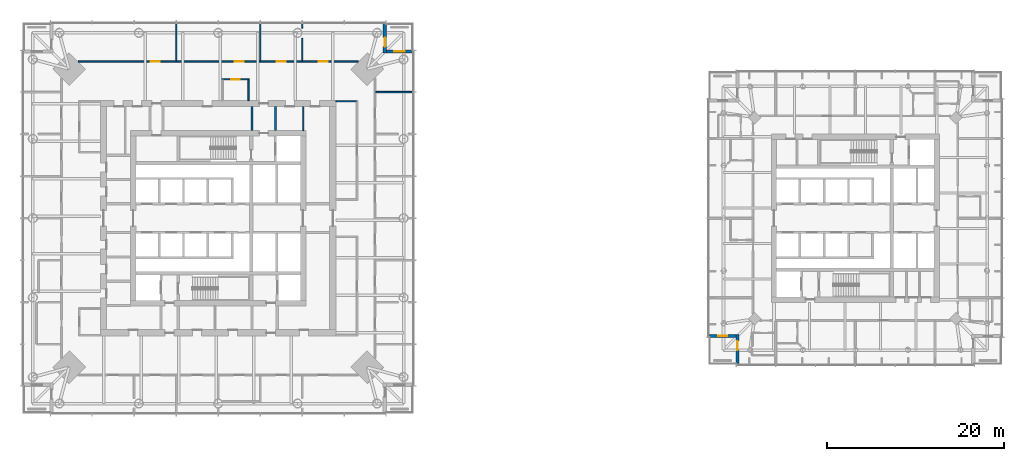
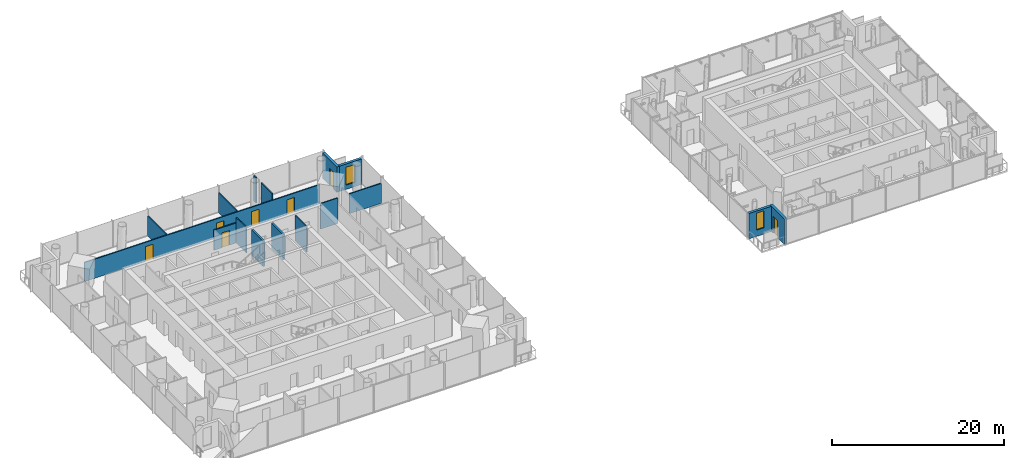
# One storey, part 12 of 19: 16 walls, 7 doors, 2 windows, 9 openings.
"""IFC4 building model written with IfcOpenShell, lengths in metres."""

from ifc_helpers import new_model, si_unit, direction, frame, frame_2d, origin, place, context, subcontext, project, spatial, rectangle, extrude, material, layer, layer_set, type_object, element, fill, save


model = new_model("IFC4")

# Units and contexts
model_context = context("Model", 3, precision=1e-05, world=origin(), true_north=direction((0.0, 1.0)))
body_context = subcontext(model_context, "Body", "Model", "MODEL_VIEW")
ifc_project = project(units=[si_unit("LENGTHUNIT", "METRE"), si_unit("AREAUNIT", "SQUARE_METRE"), si_unit("VOLUMEUNIT", "CUBIC_METRE"), si_unit("PLANEANGLEUNIT", "RADIAN"), si_unit("MASSUNIT", "GRAM", prefix="KILO")], contexts=[model_context])

# Site, building, storey
site_placement = place(None, origin())
site = spatial("IfcSite", under=ifc_project, at=site_placement, CompositionType="ELEMENT")
building_placement = place(site_placement, origin())
building = spatial("IfcBuilding", under=site, at=building_placement, Name="Ostroluk Exchange", CompositionType="ELEMENT")
storey_placement = place(building_placement, frame((0.0, 0.0, 116.0)))
storey = spatial("IfcBuildingStorey", under=building, at=storey_placement, Name="L29", CompositionType="ELEMENT", Elevation=116.0)

# Walls
ifc_material_1 = material(Name="Concrete blockwork", Category="masonry")
ifc_layer_1 = layer(ifc_material_1, 0.14990234375)
ifc_layer_set_1 = layer_set([ifc_layer_1], Name="Blockwork plant room wall 150")
wall_type_1 = type_object("IfcWallType", Name="Blockwork plant room wall 150", PredefinedType="SOLIDWALL", material=ifc_layer_set_1)
wall_1_placement = place(storey_placement, frame((54.60009765625, 55.89990234375, 0.0), z_axis=(0.0, 0.0, 1.0), x_axis=(0.0, 1.0, 0.0)))
element("IfcWall", 1, at=wall_1_placement, inside=storey, type_object=wall_type_1, Name="Core room wall", PredefinedType="SOLIDWALL", context=body_context, shape_type="SweptSolid", body=[
    extrude(rectangle(XDim=2.7001953125, YDim=0.14990234375, at=frame_2d((1.35009765625, 0.0))), origin(), (0.0, 0.0, 1.0), 3.6201171875),
])
ifc_material_2 = material(Name="Concrete blockwork", Category="masonry")
ifc_layer_2 = layer(ifc_material_2, 0.25)
ifc_layer_set_2 = layer_set([ifc_layer_2], Name="Blockwork stair enclosure wall 250")
wall_type_2 = type_object("IfcWallType", Name="Blockwork stair enclosure wall 250", PredefinedType="SOLIDWALL", material=ifc_layer_set_2)
for number, where, z_axis, x_axis, name in (
    (2, (48.804931640625, 55.89990234375, 0.0), (0.0, 0.0, 1.0), (0.0, 1.0, 0.0), "Fire lobby enclosure wall"),
    (3, (51.47509765625, 55.89990234375, 0.0), (0.0, 0.0, 1.0), (0.0, 1.0, 0.0), "Fire lobby enclosure wall"),
):
    element("IfcWall", number, at=place(storey_placement, frame(where, z_axis=z_axis, x_axis=x_axis)), inside=storey, type_object=wall_type_2, Name=name, PredefinedType="SOLIDWALL", context=body_context, shape_type="SweptSolid", body=[
        extrude(rectangle(XDim=2.7001953125, YDim=0.25, at=frame_2d((1.35009765625, 0.0))), origin(), (0.0, 0.0, 1.0), 3.6201171875),
    ])

# Wall, opening, door
ifc_material_3 = material(Name="Limestone", Category="masonry")
ifc_layer_3 = layer(ifc_material_3, 0.35009765625)
ifc_layer_set_3 = layer_set([ifc_layer_3], Name="Limestone facade wall 350")
wall_type_3 = type_object("IfcWallType", Name="Limestone facade wall 350", PredefinedType="SOLIDWALL", material=ifc_layer_set_3)
wall_2_placement = place(storey_placement, frame((63.824951171875, 68.0, 0.0), z_axis=(0.0, 0.0, 1.0), x_axis=(0.0, -1.0, 0.0)))
wall_2 = element("IfcWall", 4, at=wall_2_placement, inside=storey, type_object=wall_type_3, Name="Office tower NE corner wall L29 a", PredefinedType="SOLIDWALL", context=body_context, shape_type="SweptSolid", body=[
    extrude(rectangle(XDim=3.35009765625, YDim=0.35009765625, at=frame_2d((1.675048828125, 0.0))), origin(), (0.0, 0.0, 1.0), 3.6201171875),
])
opening_1_placement = place(wall_2_placement, frame((1.60009765625, 0.0, 0.0)))
opening_1 = element("IfcOpeningElement", 5, at=opening_1_placement, cuts=wall_2, Name="Opening D-B1", PredefinedType="OPENING", context=body_context, shape_type="SweptSolid", body=[
    extrude(rectangle(XDim=1.0, YDim=2.39990234375, at=frame_2d((0.5, 1.199951171875))), frame((0.0, 0.18505859375, 0.0), z_axis=(0.0, -1.0, 0.0), x_axis=(1.0, 0.0, 0.0)), (0.0, 0.0, 1.0), 0.3701171875),
])
ifc_material_4 = material(Name="Bronze framed glazed door", Category="aluminium")
door_type_1 = type_object("IfcDoorType", Name="Balcony door 1000 x 2400", OperationType="SINGLE_SWING_LEFT", PredefinedType="DOOR", material=ifc_material_4)
door_1_placement = place(opening_1_placement, origin())
door_1 = element("IfcDoor", 6, at=door_1_placement, inside=storey, type_object=door_type_1, Name="Office tower NE balcony door L29", OperationType="SINGLE_SWING_RIGHT", OverallHeight=2.39990234375, OverallWidth=1.0, PredefinedType="DOOR", context=body_context, shape_type="SweptSolid", body=[
    extrude(rectangle(XDim=1.0, YDim=2.39990234375, at=frame_2d((0.5, 1.199951171875))), frame((0.0, 0.02490234375, 0.0), z_axis=(0.0, -1.0, 0.0), x_axis=(1.0, 0.0, 0.0)), (0.0, 0.0, 1.0), 0.050048828125),
])
fill(opening_1, door_1)

# Wall, opening, window
wall_3_placement = place(storey_placement, frame((64.0, 64.824951171875, 0.0), z_axis=(0.0, 0.0, 1.0), x_axis=(1.0, 0.0, 0.0)))
wall_3 = element("IfcWall", 7, at=wall_3_placement, inside=storey, type_object=wall_type_3, Name="Office tower NE corner wall L29 b", PredefinedType="SOLIDWALL", context=body_context, shape_type="SweptSolid", body=[
    extrude(rectangle(XDim=3.0, YDim=0.35009765625, at=frame_2d((1.5, 0.0))), origin(), (0.0, 0.0, 1.0), 3.6201171875),
])
opening_2_placement = place(wall_3_placement, frame((0.89990234375, 0.0, 0.60009765625)))
opening_2 = element("IfcOpeningElement", 8, at=opening_2_placement, cuts=wall_3, Name="Opening WN-L1", PredefinedType="OPENING", context=body_context, shape_type="SweptSolid", body=[
    extrude(rectangle(XDim=1.199951171875, YDim=2.550048828125, at=frame_2d((0.60009765625, 1.27490234375))), frame((0.0, 0.18505859375, 0.0), z_axis=(0.0, -1.0, 0.0), x_axis=(1.0, 0.0, 0.0)), (0.0, 0.0, 1.0), 0.3701171875),
])
ifc_material_5 = material(Name="Laminated clear glass", Category="glass")
window_type_1 = type_object("IfcWindowType", Name="Lancet window 1200 x 2550", PartitioningType="SINGLE_PANEL", PredefinedType="WINDOW", material=ifc_material_5)
window_1_placement = place(opening_2_placement, origin())
window_1 = element("IfcWindow", 9, at=window_1_placement, inside=storey, type_object=window_type_1, Name="Office tower NE lancet window L29", OverallHeight=2.550048828125, OverallWidth=1.199951171875, PartitioningType="SINGLE_PANEL", PredefinedType="WINDOW", context=body_context, shape_type="SweptSolid", body=[
    extrude(rectangle(XDim=1.199951171875, YDim=2.550048828125, at=frame_2d((0.60009765625, 1.27490234375))), frame((0.0, 0.030029296875, 0.0), z_axis=(0.0, -1.0, 0.0), x_axis=(1.0, 0.0, 0.0)), (0.0, 0.0, 1.0), 0.06005859375),
])
fill(opening_2, window_1)

# Wall, opening, door
wall_4_placement = place(storey_placement, frame((103.675048828125, 29.5, 0.0), z_axis=(0.0, 0.0, 1.0), x_axis=(0.0, 1.0, 0.0)))
wall_4 = element("IfcWall", 10, at=wall_4_placement, inside=storey, type_object=wall_type_3, Name="Hotel tower SW corner wall L29 a", PredefinedType="SOLIDWALL", context=body_context, shape_type="SweptSolid", body=[
    extrude(rectangle(XDim=3.35009765625, YDim=0.35009765625, at=frame_2d((1.675048828125, 0.0))), origin(), (0.0, 0.0, 1.0), 3.60009765625),
])
opening_3_placement = place(wall_4_placement, frame((1.60009765625, 0.0, 0.0)))
opening_3 = element("IfcOpeningElement", 11, at=opening_3_placement, cuts=wall_4, Name="Opening D-B1", PredefinedType="OPENING", context=body_context, shape_type="SweptSolid", body=[
    extrude(rectangle(XDim=1.0, YDim=2.39990234375, at=frame_2d((0.5, 1.199951171875))), frame((0.0, 0.18505859375, 0.0), z_axis=(0.0, -1.0, 0.0), x_axis=(1.0, 0.0, 0.0)), (0.0, 0.0, 1.0), 0.3701171875),
])
door_2_placement = place(opening_3_placement, origin())
door_2 = element("IfcDoor", 12, at=door_2_placement, inside=storey, type_object=door_type_1, Name="Hotel tower SW balcony door L29", OperationType="SINGLE_SWING_RIGHT", OverallHeight=2.39990234375, OverallWidth=1.0, PredefinedType="DOOR", context=body_context, shape_type="SweptSolid", body=[
    extrude(rectangle(XDim=1.0, YDim=2.39990234375, at=frame_2d((0.5, 1.199951171875))), frame((0.0, 0.02490234375, 0.0), z_axis=(0.0, -1.0, 0.0), x_axis=(1.0, 0.0, 0.0)), (0.0, 0.0, 1.0), 0.050048828125),
])
fill(opening_3, door_2)

# Wall, opening, window
wall_5_placement = place(storey_placement, frame((103.5, 32.675048828125, 0.0), z_axis=(0.0, 0.0, 1.0), x_axis=(-1.0, 0.0, 0.0)))
wall_5 = element("IfcWall", 13, at=wall_5_placement, inside=storey, type_object=wall_type_3, Name="Hotel tower SW corner wall L29 b", PredefinedType="SOLIDWALL", context=body_context, shape_type="SweptSolid", body=[
    extrude(rectangle(XDim=3.0, YDim=0.35009765625, at=frame_2d((1.5, 0.0))), origin(), (0.0, 0.0, 1.0), 3.60009765625),
])
opening_4_placement = place(wall_5_placement, frame((1.0, 0.0, 0.89990234375)))
opening_4 = element("IfcOpeningElement", 14, at=opening_4_placement, cuts=wall_5, Name="Opening WN-L3", PredefinedType="OPENING", context=body_context, shape_type="SweptSolid", body=[
    extrude(rectangle(XDim=1.0, YDim=2.39990234375, at=frame_2d((0.5, 1.199951171875))), frame((0.0, 0.18505859375, 0.0), z_axis=(0.0, -1.0, 0.0), x_axis=(1.0, 0.0, 0.0)), (0.0, 0.0, 1.0), 0.3701171875),
])
ifc_material_6 = material(Name="Laminated clear glass", Category="glass")
window_type_2 = type_object("IfcWindowType", Name="Hotel lancet window 1000 x 2400", PartitioningType="SINGLE_PANEL", PredefinedType="WINDOW", material=ifc_material_6)
window_2_placement = place(opening_4_placement, origin())
window_2 = element("IfcWindow", 15, at=window_2_placement, inside=storey, type_object=window_type_2, Name="Hotel tower SW lancet window L29", OverallHeight=2.39990234375, OverallWidth=1.0, PartitioningType="SINGLE_PANEL", PredefinedType="WINDOW", context=body_context, shape_type="SweptSolid", body=[
    extrude(rectangle(XDim=1.0, YDim=2.39990234375, at=frame_2d((0.5, 1.199951171875))), frame((0.0, 0.030029296875, 0.0), z_axis=(0.0, -1.0, 0.0), x_axis=(1.0, 0.0, 0.0)), (0.0, 0.0, 1.0), 0.06005859375),
])
fill(opening_4, window_2)

# Wall
ifc_material_7 = material(Name="Gypsum plasterboard partition", Category="gypsum")
ifc_layer_4 = layer(ifc_material_7, 0.14990234375)
ifc_layer_set_4 = layer_set([ifc_layer_4], Name="Plasterboard partition 150")
wall_type_4 = type_object("IfcWallType", Name="Plasterboard partition 150", PredefinedType="PARTITIONING", material=ifc_layer_set_4)
wall_6_placement = place(storey_placement, frame((58.300048828125, 59.22509765625, 0.0), z_axis=(0.0, 0.0, 1.0), x_axis=(1.0, 0.0, 0.0)))
element("IfcWall", 16, at=wall_6_placement, inside=storey, type_object=wall_type_4, Name="Partition", PredefinedType="PARTITIONING", context=body_context, shape_type="SweptSolid", body=[
    extrude(rectangle(XDim=2.324951171875, YDim=0.14990234375, at=frame_2d((1.16259765625, 0.0))), origin(), (0.0, 0.0, 1.0), 3.6201171875),
])

# Wall, opening, door
wall_7_placement = place(storey_placement, frame((48.514892578125, 61.699951171875, 0.0), z_axis=(0.0, 0.0, 1.0), x_axis=(-1.0, 0.0, 0.0)))
wall_7 = element("IfcWall", 17, at=wall_7_placement, inside=storey, type_object=wall_type_4, Name="Partition", PredefinedType="PARTITIONING", context=body_context, shape_type="SweptSolid", body=[
    extrude(rectangle(XDim=3.1123046875, YDim=0.14990234375, at=frame_2d((1.55615234375, 0.0))), origin(), (0.0, 0.0, 1.0), 2.85791015625),
])
opening_5_placement = place(wall_7_placement, frame((1.05615234375, 0.0, 0.0)))
opening_5 = element("IfcOpeningElement", 18, at=opening_5_placement, cuts=wall_7, Name="Opening D-03", PredefinedType="OPENING", context=body_context, shape_type="SweptSolid", body=[
    extrude(rectangle(XDim=1.0, YDim=2.10009765625, at=frame_2d((0.5, 1.050048828125))), frame((0.0, 0.0849609375, 0.0), z_axis=(0.0, -1.0, 0.0), x_axis=(1.0, 0.0, 0.0)), (0.0, 0.0, 1.0), 0.169921875),
])
ifc_material_8 = material(Name="Timber", Category="wood")
door_type_2 = type_object("IfcDoorType", Name="Internal door 1000 x 2100", OperationType="SINGLE_SWING_LEFT", PredefinedType="DOOR", material=ifc_material_8)
door_3_placement = place(opening_5_placement, origin())
door_3 = element("IfcDoor", 19, at=door_3_placement, inside=storey, type_object=door_type_2, Name="Staff room door", OperationType="SINGLE_SWING_RIGHT", OverallHeight=2.10009765625, OverallWidth=1.0, PredefinedType="DOOR", context=body_context, shape_type="SweptSolid", body=[
    extrude(rectangle(XDim=1.0, YDim=2.10009765625, at=frame_2d((0.5, 1.050048828125))), frame((0.0, 0.02490234375, 0.0), z_axis=(0.0, -1.0, 0.0), x_axis=(1.0, 0.0, 0.0)), (0.0, 0.0, 1.0), 0.050048828125),
])
fill(opening_5, door_3)

# Walls
wall_8_placement = place(storey_placement, frame((48.43994140625, 59.300048828125, 0.0), z_axis=(0.0, 0.0, 1.0), x_axis=(0.0, 1.0, 0.0)))
element("IfcWall", 20, at=wall_8_placement, inside=storey, type_object=wall_type_4, Name="Partition", PredefinedType="PARTITIONING", context=body_context, shape_type="SweptSolid", body=[
    extrude(rectangle(XDim=2.324951171875, YDim=0.14990234375, at=frame_2d((1.16259765625, 0.0))), origin(), (0.0, 0.0, 1.0), 3.6201171875),
])
wall_9_placement = place(storey_placement, frame((62.800048828125, 60.25, 0.0), z_axis=(0.0, 0.0, 1.0), x_axis=(1.0, 0.0, 0.0)))
element("IfcWall", 21, at=wall_9_placement, inside=storey, type_object=wall_type_4, Name="Partition", PredefinedType="PARTITIONING", context=body_context, shape_type="SweptSolid", body=[
    extrude(rectangle(XDim=4.239990234375, YDim=0.14990234375, at=frame_2d((2.1201171875, 0.0))), origin(), (0.0, 0.0, 1.0), 2.820068359375),
])

# Wall, openings, doors
wall_10_placement = place(storey_placement, frame((60.8115234375, 63.72509765625, 0.0), z_axis=(0.0, 0.0, 1.0), x_axis=(-1.0, 0.0, 0.0)))
wall_10 = element("IfcWall", 22, at=wall_10_placement, inside=storey, type_object=wall_type_4, Name="Partition", PredefinedType="PARTITIONING", context=body_context, shape_type="SweptSolid", body=[
    extrude(rectangle(XDim=31.623046875, YDim=0.14990234375, at=frame_2d((15.8115234375, 0.0))), origin(), (0.0, 0.0, 1.0), 2.719970703125),
])
opening_6_placement = place(wall_10_placement, frame((3.4365234375, 0.0, 0.0)))
opening_6 = element("IfcOpeningElement", 23, at=opening_6_placement, cuts=wall_10, Name="Opening D-03", PredefinedType="OPENING", context=body_context, shape_type="SweptSolid", body=[
    extrude(rectangle(XDim=1.0, YDim=2.10009765625, at=frame_2d((0.5, 1.050048828125))), frame((0.0, 0.0849609375, 0.0), z_axis=(0.0, -1.0, 0.0), x_axis=(1.0, 0.0, 0.0)), (0.0, 0.0, 1.0), 0.169921875),
])
opening_7_placement = place(wall_10_placement, frame((8.1865234375, 0.0, 0.0)))
opening_7 = element("IfcOpeningElement", 24, at=opening_7_placement, cuts=wall_10, Name="Opening D-03", PredefinedType="OPENING", context=body_context, shape_type="SweptSolid", body=[
    extrude(rectangle(XDim=1.0, YDim=2.10009765625, at=frame_2d((0.5, 1.050048828125))), frame((0.0, 0.0849609375, 0.0), z_axis=(0.0, -1.0, 0.0), x_axis=(1.0, 0.0, 0.0)), (0.0, 0.0, 1.0), 0.169921875),
])
opening_8_placement = place(wall_10_placement, frame((12.9365234375, 0.0, 0.0)))
opening_8 = element("IfcOpeningElement", 25, at=opening_8_placement, cuts=wall_10, Name="Opening D-03", PredefinedType="OPENING", context=body_context, shape_type="SweptSolid", body=[
    extrude(rectangle(XDim=1.0, YDim=2.10009765625, at=frame_2d((0.5, 1.050048828125))), frame((0.0, 0.0849609375, 0.0), z_axis=(0.0, -1.0, 0.0), x_axis=(1.0, 0.0, 0.0)), (0.0, 0.0, 1.0), 0.169921875),
])
opening_9_placement = place(wall_10_placement, frame((22.4365234375, 0.0, 0.0)))
opening_9 = element("IfcOpeningElement", 26, at=opening_9_placement, cuts=wall_10, Name="Opening D-03", PredefinedType="OPENING", context=body_context, shape_type="SweptSolid", body=[
    extrude(rectangle(XDim=1.0, YDim=2.10009765625, at=frame_2d((0.5, 1.050048828125))), frame((0.0, 0.0849609375, 0.0), z_axis=(0.0, -1.0, 0.0), x_axis=(1.0, 0.0, 0.0)), (0.0, 0.0, 1.0), 0.169921875),
])
door_4_placement = place(opening_6_placement, origin())
door_4 = element("IfcDoor", 27, at=door_4_placement, inside=storey, type_object=door_type_2, Name="Office suite door", OperationType="SINGLE_SWING_LEFT", OverallHeight=2.10009765625, OverallWidth=1.0, PredefinedType="DOOR", context=body_context, shape_type="SweptSolid", body=[
    extrude(rectangle(XDim=1.0, YDim=2.10009765625, at=frame_2d((0.5, 1.050048828125))), frame((0.0, 0.02490234375, 0.0), z_axis=(0.0, -1.0, 0.0), x_axis=(1.0, 0.0, 0.0)), (0.0, 0.0, 1.0), 0.050048828125),
])
fill(opening_6, door_4)
door_5_placement = place(opening_7_placement, origin())
door_5 = element("IfcDoor", 28, at=door_5_placement, inside=storey, type_object=door_type_2, Name="Meeting room door", OperationType="SINGLE_SWING_LEFT", OverallHeight=2.10009765625, OverallWidth=1.0, PredefinedType="DOOR", context=body_context, shape_type="SweptSolid", body=[
    extrude(rectangle(XDim=1.0, YDim=2.10009765625, at=frame_2d((0.5, 1.050048828125))), frame((0.0, 0.02490234375, 0.0), z_axis=(0.0, -1.0, 0.0), x_axis=(1.0, 0.0, 0.0)), (0.0, 0.0, 1.0), 0.050048828125),
])
fill(opening_7, door_5)
door_6_placement = place(opening_8_placement, origin())
door_6 = element("IfcDoor", 29, at=door_6_placement, inside=storey, type_object=door_type_2, Name="Office door", OperationType="SINGLE_SWING_LEFT", OverallHeight=2.10009765625, OverallWidth=1.0, PredefinedType="DOOR", context=body_context, shape_type="SweptSolid", body=[
    extrude(rectangle(XDim=1.0, YDim=2.10009765625, at=frame_2d((0.5, 1.050048828125))), frame((0.0, 0.02490234375, 0.0), z_axis=(0.0, -1.0, 0.0), x_axis=(1.0, 0.0, 0.0)), (0.0, 0.0, 1.0), 0.050048828125),
])
fill(opening_8, door_6)
door_7_placement = place(opening_9_placement, origin())
door_7 = element("IfcDoor", 30, at=door_7_placement, inside=storey, type_object=door_type_2, Name="Office door", OperationType="SINGLE_SWING_RIGHT", OverallHeight=2.10009765625, OverallWidth=1.0, PredefinedType="DOOR", context=body_context, shape_type="SweptSolid", body=[
    extrude(rectangle(XDim=1.0, YDim=2.10009765625, at=frame_2d((0.5, 1.050048828125))), frame((0.0, 0.02490234375, 0.0), z_axis=(0.0, -1.0, 0.0), x_axis=(1.0, 0.0, 0.0)), (0.0, 0.0, 1.0), 0.050048828125),
])
fill(opening_9, door_7)

# Walls
wall_11_placement = place(storey_placement, frame((54.5, 63.800048828125, 0.0), z_axis=(0.0, 0.0, 1.0), x_axis=(0.0, 1.0, 0.0)))
element("IfcWall", 31, at=wall_11_placement, inside=storey, type_object=wall_type_4, Name="Partition", PredefinedType="PARTITIONING", context=body_context, shape_type="SweptSolid", body=[
    extrude(rectangle(XDim=2.534912109375, YDim=0.14990234375, at=frame_2d((1.267578125, 0.0))), origin(), (0.0, 0.0, 1.0), 3.6201171875),
])
wall_12_placement = place(storey_placement, frame((54.5, 67.47216796875, 0.0), z_axis=(0.0, 0.0, 1.0), x_axis=(0.0, 1.0, 0.0)))
element("IfcWall", 32, at=wall_12_placement, inside=storey, type_object=wall_type_4, Name="Partition", PredefinedType="PARTITIONING", context=body_context, shape_type="SweptSolid", body=[
    extrude(rectangle(XDim=0.56787109375, YDim=0.14990234375, at=frame_2d((0.283935546875, 0.0))), origin(), (0.0, 0.0, 1.0), 3.6201171875),
])
for number, where, z_axis, x_axis, name in (
    (33, (49.75, 63.800048828125, 0.0), (0.0, 0.0, 1.0), (0.0, 1.0, 0.0), "Partition"),
    (34, (40.25, 63.800048828125, 0.0), (0.0, 0.0, 1.0), (0.0, 1.0, 0.0), "Partition"),
):
    element("IfcWall", number, at=place(storey_placement, frame(where, z_axis=z_axis, x_axis=x_axis)), inside=storey, type_object=wall_type_4, Name=name, PredefinedType="PARTITIONING", context=body_context, shape_type="SweptSolid", body=[
        extrude(rectangle(XDim=4.239990234375, YDim=0.14990234375, at=frame_2d((2.1201171875, 0.0))), origin(), (0.0, 0.0, 1.0), 2.820068359375),
    ])

save(model, "model.ifc")
